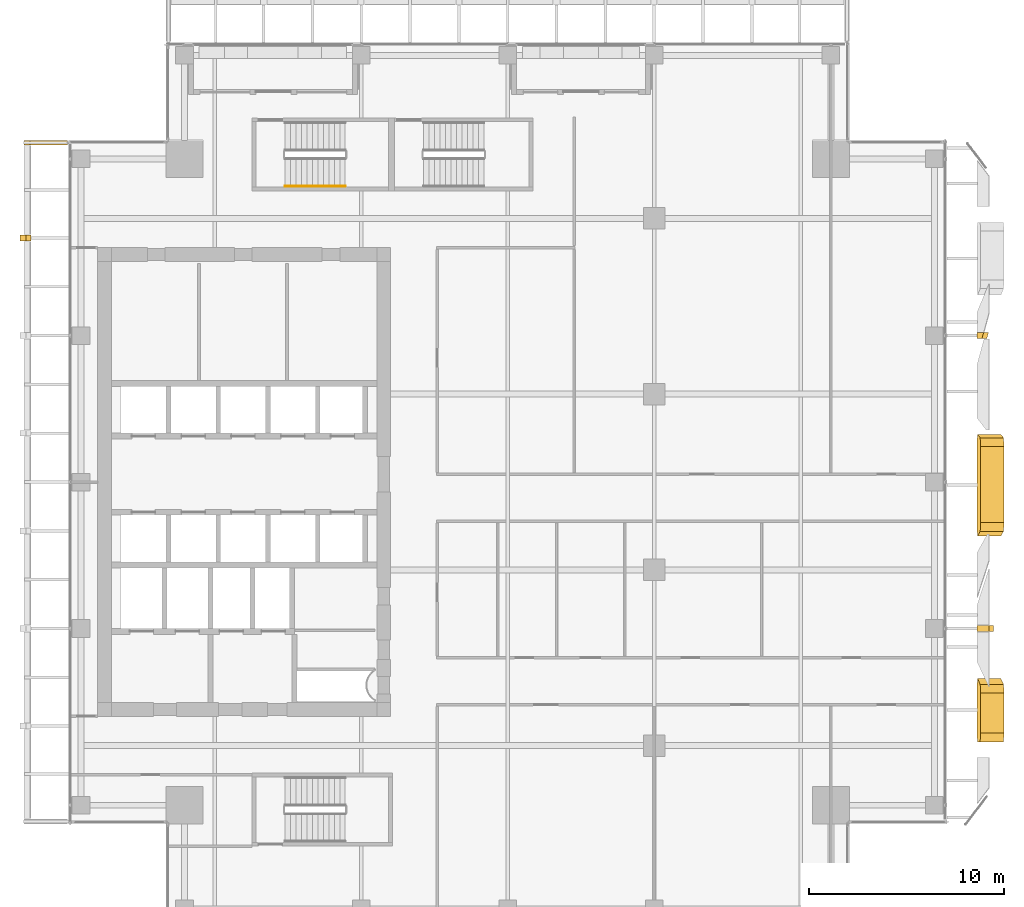
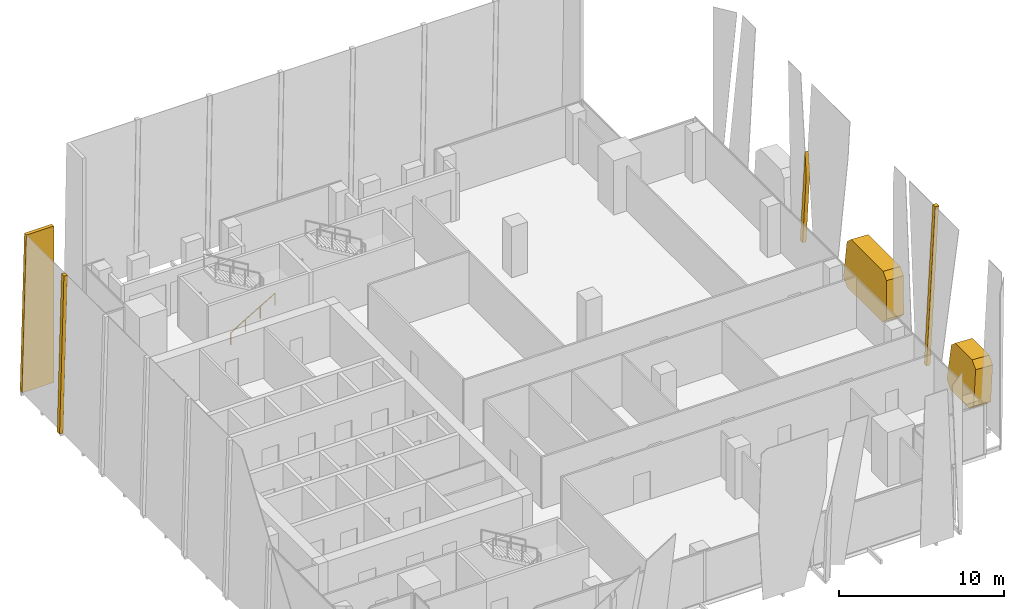
# One storey, part 31 of 33: 6 coverings, 1 railing.
"""IFC4 building model written with IfcOpenShell, lengths in metres."""

from ifc_helpers import new_model, si_unit, direction, frame, origin, origin_2d, place, context, subcontext, project, spatial, polyline, circle, outline, extrude, source, transform, mapped, material, layer, layer_set, type_object, element, save


model = new_model("IFC4")

# Units and contexts
model_context = context("Model", 3, precision=1e-05, world=origin(), true_north=direction((0.0, 1.0)))
body_context = subcontext(model_context, "Body", "Model", "MODEL_VIEW")
ifc_project = project(units=[si_unit("LENGTHUNIT", "METRE"), si_unit("AREAUNIT", "SQUARE_METRE"), si_unit("VOLUMEUNIT", "CUBIC_METRE"), si_unit("PLANEANGLEUNIT", "RADIAN"), si_unit("MASSUNIT", "GRAM", prefix="KILO")], contexts=[model_context])

# Site, building, storey
site_placement = place(None, origin())
site = spatial("IfcSite", under=ifc_project, at=site_placement, CompositionType="ELEMENT")
building_placement = place(site_placement, origin())
building = spatial("IfcBuilding", under=site, at=building_placement, Name="Khomas Fold Tower", CompositionType="ELEMENT")
storey_placement = place(building_placement, frame((0.0, 0.0, 234.199951171875)))
storey = spatial("IfcBuildingStorey", under=building, at=storey_placement, Name="L52", CompositionType="ELEMENT", Elevation=234.199951171875)

# Coverings
ifc_material_1 = material(Name="Natural stone cladding", Category="masonry")
ifc_layer_1 = layer(ifc_material_1, 0.25)
ifc_layer_set_1 = layer_set([ifc_layer_1], Name="Natural stone cladding")
covering_type_1 = type_object("IfcCoveringType", Name="SK-Karibib marble stone mullion", PredefinedType="CLADDING", material=ifc_layer_set_1)
covering_1_placement = place(storey_placement, frame((51.02880859375, 19.35009765625, 0.0), z_axis=(-0.99862882819, 0.0, 0.052349436554), x_axis=(0.052349436554, 0.0, 0.99862882819)))
element("IfcCovering", 1, at=covering_1_placement, inside=storey, type_object=covering_type_1, Name="OUTER SKIN mullion L52 EM100-5", PredefinedType="CLADDING", context=body_context, shape_type="SweptSolid", body=[
    extrude(outline(polyline([(0.0, 0.0), (11.565907674683308, 0.0), (11.565907674683308, 0.2998046875), (0.0, 0.2998046875), (0.0, 0.0)])), origin(), (0.0, 0.0, -1.0), 0.25),
])
covering_2_placement = place(storey_placement, frame((51.02880859375, 34.35009765625, 0.0), z_axis=(-0.998628870917, 3.4773191e-05, 0.052348609923), x_axis=(0.052348609955, -7.4e-11, 0.998628871521)))
element("IfcCovering", 2, at=covering_2_placement, inside=storey, type_object=covering_type_1, Name="OUTER SKIN mullion L52 EM103-7", PredefinedType="CLADDING", context=body_context, shape_type="SweptSolid", body=[
    extrude(outline(polyline([(0.0, 0.0), (4.887804778212142, -1.6940658945086007e-21), (6.44976196678466, 0.2998046881596209), (-2.2235764758988398e-11, 0.2998046873187419), (0.0, 0.0)])), origin(), (0.0, 0.0, -1.0), 0.25),
])
covering_3_placement = place(storey_placement, frame((2.02490234375, 39.35009765625, 0.006591796875), z_axis=(-0.999657230839, 0.0, 0.026180543005), x_axis=(0.0, 1.0, 0.0)))
element("IfcCovering", 3, at=covering_3_placement, inside=storey, type_object=covering_type_1, Name="OUTER SKIN mullion L52 W12", PredefinedType="CLADDING", context=body_context, shape_type="SweptSolid", body=[
    extrude(outline(polyline([(0.0, 0.0), (0.2998046875, 0.0), (0.2998046875, -11.554009186164079), (0.0, -11.554009186164079), (0.0, 0.0)])), origin(), (0.0, 0.0, -1.0), 0.25),
])
covering_4_placement = place(storey_placement, frame((4.449951171875, 44.5, 0.0), z_axis=(0.0, 1.0, 0.0), x_axis=(-1.0, 0.0, 0.0)))
element("IfcCovering", 4, at=covering_4_placement, inside=storey, type_object=covering_type_1, Name="OUTER SKIN return L52 W2", PredefinedType="CLADDING", context=body_context, shape_type="SweptSolid", body=[
    extrude(outline(polyline([(0.0, 0.0), (2.215087890625, 0.0), (1.91259765625, 11.550048828125), (0.0, 11.550048828125), (0.0, 0.0)])), origin(), (0.0, 0.0, -1.0), 0.25),
])
ifc_material_2 = material(Name="Natural stone cladding", Category="masonry")
ifc_layer_2 = layer(ifc_material_2, 1.199951171875)
ifc_layer_set_2 = layer_set([ifc_layer_2], Name="Natural stone cladding")
covering_type_2 = type_object("IfcCoveringType", Name="SK-Karibib marble stone panel", PredefinedType="CLADDING", material=ifc_layer_set_2)
covering_5_placement = place(storey_placement, frame((51.194091796875, 16.641845703125, 3.150390625), z_axis=(-0.998629416366, 1.4537291e-05, 0.052338213157), x_axis=(-0.052009491064, 0.111626484732, -0.992388301395)))
element("IfcCovering", 5, at=covering_5_placement, inside=storey, type_object=covering_type_2, Name="OUTER SKIN leaf L52 ES03-1", PredefinedType="CLADDING", context=body_context, shape_type="SweptSolid", body=[
    extrude(outline(polyline([(0.0, 0.0), (2.6704746948036724, 0.0), (3.118355782343763, 0.5003883283853072), (2.856840218992114, 2.828519980251352), (2.358855802130475, 3.2253630771489665), (-0.27834351721963685, 2.929130402396107), (-0.6758623012167128, 2.431696764433092), (-0.44762211331862367, 0.3997977873199068), (0.0, 0.0)])), origin(), (0.0, 0.0, -1.0), 1.199951171875),
])
covering_6_placement = place(storey_placement, frame((51.19287109375, 29.265869140625, 3.130615234375), z_axis=(-0.998629723402, -2.55325e-07, 0.052332356507), x_axis=(-0.052211174963, 0.068018581725, -0.996316950448)))
element("IfcCovering", 6, at=covering_6_placement, inside=storey, type_object=covering_type_2, Name="OUTER SKIN leaf L52 ES06-2", PredefinedType="CLADDING", context=body_context, shape_type="SweptSolid", body=[
    extrude(outline(polyline([(0.0, 0.0), (2.659687963035864, -2.7755575615628914e-17), (3.109417422468486, 0.4806777929012125), (2.8155891058098224, 4.790497534053663), (2.293390996895536, 5.203933902312787), (-0.33725979572122033, 4.77424978200249), (-0.7141097913278419, 4.299519483357449), (-0.4495746334001536, 0.41936641019374854), (0.0, 0.0)])), origin(), (0.0, 0.0, -1.0), 1.199951171875),
])

# Railing
ifc_material_3 = material(Name="Steel handrail", Category="steel")
railing_type = type_object("IfcRailingType", Name="Stair handrail", PredefinedType="HANDRAIL", material=ifc_material_3)
shared_shape = source(origin(), body_context, "Body", "SweptSolid", [
    extrude(circle(Radius=0.02392578125, at=origin_2d()), frame((0.0, 0.0, 0.8759765625), z_axis=(0.859290745958, 0.0, 0.51148745235), x_axis=(0.0, 1.0, 0.0)), (0.0, 0.0, 1.0), 3.584228515625),
    extrude(circle(Radius=0.02099609375, at=origin_2d()), origin(), (0.0, 0.0, 1.0), 0.851806640625),
    extrude(circle(Radius=0.02099609375, at=origin_2d()), frame((1.026611328125, 0.0, 0.611083984375)), (0.0, 0.0, 1.0), 0.851806640625),
    extrude(circle(Radius=0.02099609375, at=origin_2d()), frame((2.05322265625, 0.0, 1.22216796875)), (0.0, 0.0, 1.0), 0.851806640625),
    extrude(circle(Radius=0.02099609375, at=origin_2d()), frame((3.079833984375, 0.0, 1.833251953125)), (0.0, 0.0, 1.0), 0.851806640625),
])
railing_placement = place(storey_placement, frame((15.60009765625, 42.14990234375, 0.166748046875)))
element("IfcRailing", 7, at=railing_placement, inside=storey, type_object=railing_type, Name="L52 ST1 stair handrail 1", PredefinedType="HANDRAIL", context=body_context, shape_type="MappedRepresentation", body=[
    mapped(shared_shape, transform((0.0, 0.0, 0.0))),
])

save(model, "model.ifc")
